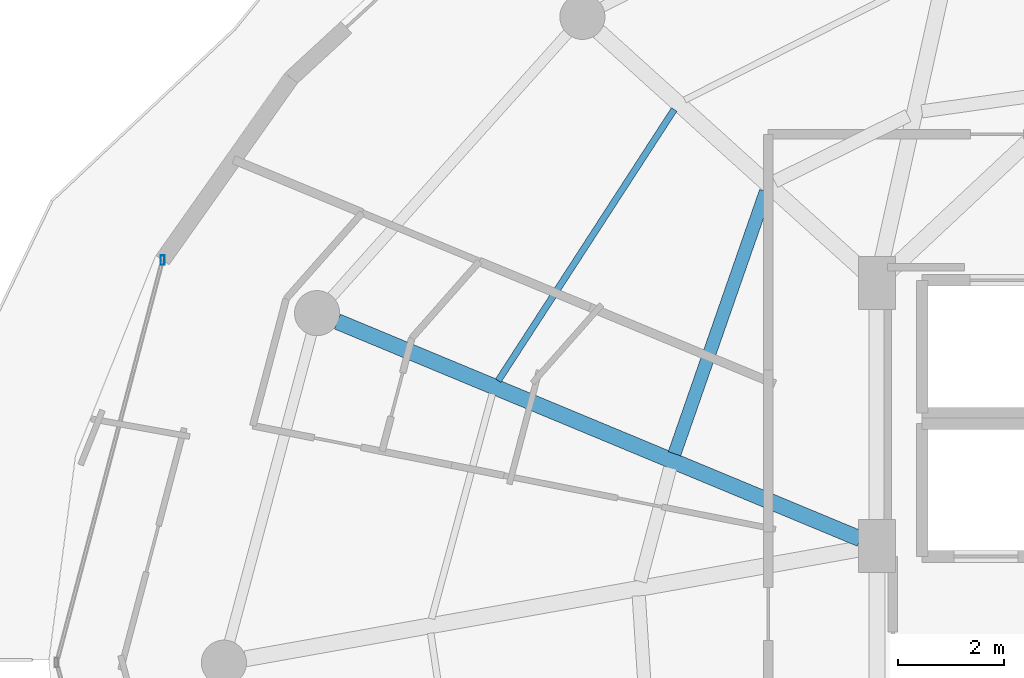
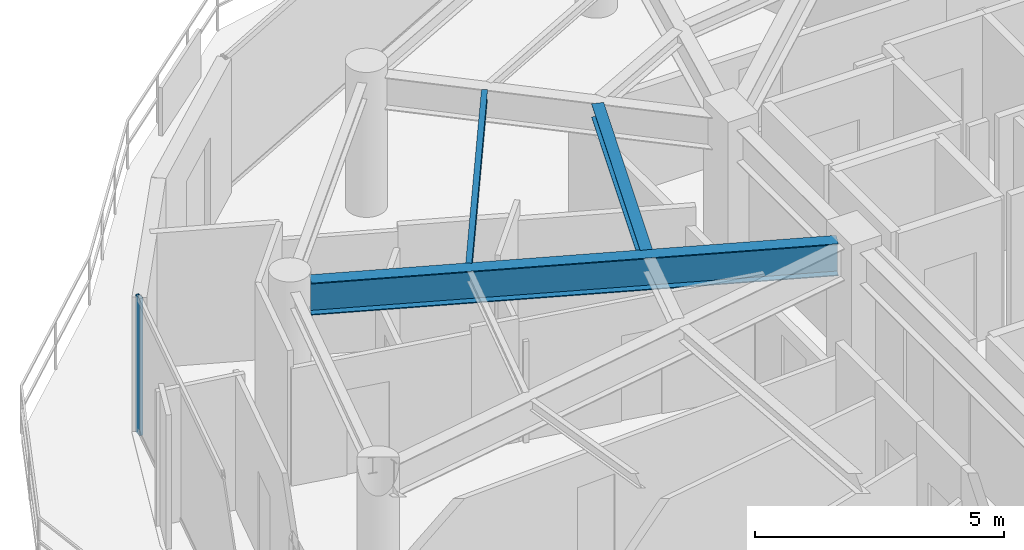
# One storey, part 8 of 30: 3 beams, 1 member, 1 element without a shape of its own.
"""IFC4 building model written with IfcOpenShell, lengths in metres."""

import ifcopenshell
import ifcopenshell.guid

model = None  # the IFC model being written
_history = None  # IfcOwnerHistory: only IFC2X3 demands one
_inside = {}  # id of a spatial element -> (the spatial element, [elements in it])
_under = {}  # id of a project, library or spatial element -> (it, [spatial elements below it])
_declared = {}  # id of a project -> (the project, [libraries it declares])
_typed = {}  # id of a type object -> (the type object, [elements of that type])
_made_of = {}  # id of a material, layer set ... -> (it, [elements and type objects made of it])


def new_model(schema):
    """Start an empty IFC model of exactly this schema.

    Asked for "IFC4X3", IfcOpenShell would pick the latest addendum, in which some entities
    have other attributes; the version numbers below select the first issue.
    IFC2X3 requires an IfcOwnerHistory on every rooted entity: one is made here for all.
    """
    global model, _history
    if schema == "IFC4X3":
        model = ifcopenshell.file(schema_version=(4, 3, 0, 0))
    else:
        model = ifcopenshell.file(schema=schema)
    _inside.clear()
    _under.clear()
    _declared.clear()
    _typed.clear()
    _made_of.clear()
    _history = None
    if model.schema == "IFC2X3":
        org = make("IfcOrganization", Name="unknown")
        user = make(
            "IfcPersonAndOrganization",
            ThePerson=make("IfcPerson", FamilyName="unknown"),
            TheOrganization=org,
        )
        app = make(
            "IfcApplication",
            ApplicationDeveloper=org,
            Version="unknown",
            ApplicationFullName="unknown",
            ApplicationIdentifier="unknown",
        )
        _history = make(
            "IfcOwnerHistory",
            OwningUser=user,
            OwningApplication=app,
            ChangeAction="ADDED",
            CreationDate=0,
        )
    return model


def make(cls, **values):
    """One entity of the class cls with the attributes given. An attribute that is None is left unset."""
    return model.create_entity(
        cls, **{name: value for name, value in values.items() if value is not None}
    )


def rooted(cls, **values):
    """An entity with a GlobalId (a new one), such as an element, a storey or a relation."""
    return make(cls, GlobalId=ifcopenshell.guid.new(), OwnerHistory=_history, **values)


def si_unit(unit_type, name, prefix=None):
    """IfcSIUnit, for example si_unit("LENGTHUNIT", "METRE", prefix="MILLI")."""
    return make("IfcSIUnit", UnitType=unit_type, Prefix=prefix, Name=name)


def assignment(units):
    """IfcUnitAssignment: the units of a project."""
    return None if units is None else make("IfcUnitAssignment", Units=units)


def point(xyz):
    """IfcCartesianPoint."""
    return None if xyz is None else make("IfcCartesianPoint", Coordinates=xyz)


def direction(xyz):
    """IfcDirection."""
    return None if xyz is None else make("IfcDirection", DirectionRatios=xyz)


def frame(location, z_axis=None, x_axis=None):
    """IfcAxis2Placement3D, a coordinate frame: its origin and axes. An axis left out is left unset."""
    return make(
        "IfcAxis2Placement3D",
        Location=point(location),
        Axis=direction(z_axis),
        RefDirection=direction(x_axis),
    )


def frame_2d(location, x_axis=None):
    """IfcAxis2Placement2D, a coordinate frame in the plane: its origin and x axis."""
    return make(
        "IfcAxis2Placement2D", Location=point(location), RefDirection=direction(x_axis)
    )


def origin():
    """The frame at (0, 0, 0) with its axes left unset."""
    return frame((0.0, 0.0, 0.0))


def origin_2d():
    """The frame at (0, 0) in the plane with its x axis left unset."""
    return frame_2d((0.0, 0.0))


def place(relative_to, where):
    """IfcLocalPlacement: puts the frame where relative to a parent placement (None: the world)."""
    return make(
        "IfcLocalPlacement", PlacementRelTo=relative_to, RelativePlacement=where
    )


def context(
    kind, dimensions, precision=None, world=None, true_north=None, identifier=None
):
    """IfcGeometricRepresentationContext, for example the 3D "Model" context."""
    return make(
        "IfcGeometricRepresentationContext",
        ContextIdentifier=identifier,
        ContextType=kind,
        CoordinateSpaceDimension=dimensions,
        Precision=precision,
        WorldCoordinateSystem=world,
        TrueNorth=true_north,
    )


def subcontext(parent, identifier, kind, view, scale=None):
    """IfcGeometricRepresentationSubContext, for example "Body" below "Model"."""
    return make(
        "IfcGeometricRepresentationSubContext",
        ContextIdentifier=identifier,
        ContextType=kind,
        ParentContext=parent,
        TargetScale=scale,
        TargetView=view,
    )


def project(units=None, contexts=None):
    """IfcProject with its units and contexts."""
    return rooted(
        "IfcProject",
        Name="project",
        RepresentationContexts=contexts,
        UnitsInContext=assignment(units),
    )


def spatial(cls, under=None, at=None, **own):
    """A site, building, storey or space (cls), placed at a placement, below another one or the project."""
    s = rooted(cls, ObjectPlacement=at, **own)
    if under is not None:
        _under.setdefault(under.id(), (under, []))[1].append(s)
    return s


def profile(cls, at=None, kind="AREA", **sizes):
    """A parametric profile (cls). Its sizes go by their IFC names, for example OverallWidth=200.0."""
    return make(cls, ProfileType=kind, Position=at, **sizes)


def hollow_rectangle(**sizes):
    """IfcRectangleHollowProfileDef."""
    return profile("IfcRectangleHollowProfileDef", **sizes)


def i_section(**sizes):
    """IfcIShapeProfileDef."""
    return profile("IfcIShapeProfileDef", **sizes)


def extrude(swept, where, along, depth):
    """IfcExtrudedAreaSolid: the profile swept, set in the frame where, extruded along a direction by depth."""
    return make(
        "IfcExtrudedAreaSolid",
        SweptArea=swept,
        Position=where,
        ExtrudedDirection=direction(along),
        Depth=depth,
    )


def shape(context_of_items, identifier, shape_type, items):
    """IfcShapeRepresentation: the items that make up one representation, for example the "Body"."""
    return make(
        "IfcShapeRepresentation",
        ContextOfItems=context_of_items,
        RepresentationIdentifier=identifier,
        RepresentationType=shape_type,
        Items=items,
    )


def material(Name=None, Category=None):
    """IfcMaterial."""
    return make("IfcMaterial", Name=Name, Category=Category)


def material_profile(
    of_material, cross_section, Name=None, Category=None, Priority=None
):
    """IfcMaterialProfile: a cross section and its material."""
    return make(
        "IfcMaterialProfile",
        Name=Name,
        Material=of_material,
        Profile=cross_section,
        Priority=Priority,
        Category=Category,
    )


def profile_set(profiles, Name=None, composite=None):
    """IfcMaterialProfileSet."""
    return make(
        "IfcMaterialProfileSet",
        Name=Name,
        MaterialProfiles=profiles,
        CompositeProfile=composite,
    )


def made_of(thing, what):
    """Note that an element or type object is made of a material, layer set ...; save() writes the relation."""
    if what is not None:
        _made_of.setdefault(what.id(), (what, []))[1].append(thing)
    return thing


def type_object(cls, material=None, **own):
    """A type object (cls), such as IfcWallType, which elements share."""
    return made_of(rooted(cls, **own), material)


def element(
    cls,
    number,
    at=None,
    inside=None,
    cuts=None,
    type_object=None,
    material=None,
    context=None,
    identifier="Body",
    shape_type=None,
    held_by="IfcProductDefinitionShape",
    body=None,
    shapes=None,
    **own,
):
    """One element of the class cls, such as IfcWall. Its Tag is "e" and its number.

    at: its placement. inside: the storey or other place that contains it. cuts: it is an
    opening in that element (IfcRelVoidsElement). A single representation is given by context,
    identifier, shape_type and body (its items); several are given by shapes. held_by: the class
    of the entity that holds the representations. save() writes the other relations.
    """
    e = rooted(cls, Tag="e%d" % number, ObjectPlacement=at, **own)
    if body is not None:
        shapes = [shape(context, identifier, shape_type, body)]
    if shapes is not None:
        e.Representation = make(held_by, Representations=shapes)
    if inside is not None:
        _inside.setdefault(inside.id(), (inside, []))[1].append(e)
    if cuts is not None:
        rooted(
            "IfcRelVoidsElement", RelatingBuildingElement=cuts, RelatedOpeningElement=e
        )
    if type_object is not None:
        _typed.setdefault(type_object.id(), (type_object, []))[1].append(e)
    return made_of(e, material)


def aggregate(whole, parts):
    """IfcRelAggregates: a whole, such as a stair, and the parts it consists of."""
    return rooted("IfcRelAggregates", RelatingObject=whole, RelatedObjects=parts)


def save(model, path):
    """Write the relations noted so far, then the file.

    IfcRelAggregates (storeys below a building ...), IfcRelContainedInSpatialStructure (elements
    in a storey), IfcRelDefinesByType, IfcRelAssociatesMaterial and IfcRelDeclares: one each for
    every whole, place, type object, material and project.
    """
    for whole, parts in _under.values():
        aggregate(whole, parts)
    for where, things in _inside.values():
        rooted(
            "IfcRelContainedInSpatialStructure",
            RelatedElements=things,
            RelatingStructure=where,
        )
    for kind, things in _typed.values():
        rooted("IfcRelDefinesByType", RelatedObjects=things, RelatingType=kind)
    for what, things in _made_of.values():
        rooted("IfcRelAssociatesMaterial", RelatedObjects=things, RelatingMaterial=what)
    for by, libraries in _declared.values():
        rooted("IfcRelDeclares", RelatingContext=by, RelatedDefinitions=libraries)
    model.write(path)


model = new_model("IFC4")

# Units and contexts
model_context = context("Model", 3, precision=1e-05, world=origin(), true_north=direction((0.0, 1.0)))
body_context = subcontext(model_context, "Body", "Model", "MODEL_VIEW")
ifc_project = project(units=[si_unit("LENGTHUNIT", "METRE"), si_unit("AREAUNIT", "SQUARE_METRE"), si_unit("VOLUMEUNIT", "CUBIC_METRE"), si_unit("PLANEANGLEUNIT", "RADIAN"), si_unit("MASSUNIT", "GRAM", prefix="KILO")], contexts=[model_context])

# Site, building, storey
site_placement = place(None, origin())
site = spatial("IfcSite", under=ifc_project, at=site_placement, CompositionType="ELEMENT")
building_placement = place(site_placement, origin())
building = spatial("IfcBuilding", under=site, at=building_placement, Name="Vorneva Point Tower", CompositionType="ELEMENT")
storey_placement = place(building_placement, frame((0.0, 0.0, 262.64990234375)))
storey = spatial("IfcBuildingStorey", under=building, at=storey_placement, Name="L71", CompositionType="ELEMENT", Elevation=262.64990234375)

# Beams
ifc_material_1 = material(Name="Steel S355", Category="steel")
ifc_material_profile_1 = material_profile(ifc_material_1, i_section(OverallWidth=0.300048828125, OverallDepth=0.7880859375, WebThickness=0.014404296875, FlangeThickness=0.02197265625, at=origin_2d()), Name="80Sh1")
ifc_profile_set_1 = profile_set([ifc_material_profile_1], Name="Steel S355")
beam_type_1 = type_object("IfcBeamType", Name="BM-GRD-80Sh1", PredefinedType="USERDEFINED", material=ifc_profile_set_1)
beam_1_placement = place(storey_placement, frame((17.0859375, 32.423583984375, 2.89599609375), z_axis=(0.923448932068, -0.383721344027, 0.0), x_axis=(0.383721344027, 0.923448932068, 0.0)))
element("IfcBeam", 1, at=beam_1_placement, inside=storey, type_object=beam_type_1, Name="L71 Radial Primary Girder 08", ObjectType="GIRDER", PredefinedType="USERDEFINED", context=body_context, shape_type="SweptSolid", body=[
    extrude(i_section(OverallWidth=0.300048828125, OverallDepth=0.7880859375, WebThickness=0.014404296875, FlangeThickness=0.02197265625, at=origin_2d()), origin(), (0.0, 0.0, 1.0), 10.666748046875),
])
ifc_material_profile_2 = material_profile(ifc_material_1, i_section(OverallWidth=0.1240234375, OverallDepth=0.248046875, WebThickness=0.0048828125, FlangeThickness=0.008056640625, at=origin_2d()), Name="25B1")
ifc_profile_set_2 = profile_set([ifc_material_profile_2], Name="Steel S355")
beam_type_2 = type_object("IfcBeamType", Name="BM-JST-25B1", PredefinedType="JOIST", material=ifc_profile_set_2)
beam_2_placement = place(storey_placement, frame((23.4296875, 36.41748046875, 3.166015625), z_axis=(-0.54436505899, -0.838848426446, 0.0), x_axis=(0.838848426446, -0.54436505899, 0.0)))
element("IfcBeam", 2, at=beam_2_placement, inside=storey, type_object=beam_type_2, Name="L71 Secondary Floor Beam 1.07", PredefinedType="JOIST", context=body_context, shape_type="SweptSolid", body=[
    extrude(i_section(OverallWidth=0.1240234375, OverallDepth=0.248046875, WebThickness=0.0048828125, FlangeThickness=0.008056640625, at=origin_2d()), origin(), (0.0, 0.0, 1.0), 6.0869140625),
])
ifc_material_profile_3 = material_profile(ifc_material_1, i_section(OverallWidth=0.2490234375, OverallDepth=0.333984375, WebThickness=0.008056640625, FlangeThickness=0.010986328125, at=origin_2d()), Name="35Sh1")
ifc_profile_set_3 = profile_set([ifc_material_profile_3], Name="Steel S355")
beam_type_3 = type_object("IfcBeamType", Name="BM-SEC-35Sh1", PredefinedType="BEAM", material=ifc_profile_set_3)
beam_3_placement = place(storey_placement, frame((25.156005859375, 34.870361328125, 3.123046875), z_axis=(-0.329172675653, -0.94426974409, 0.0), x_axis=(0.94426974409, -0.329172675653, 0.0)))
element("IfcBeam", 3, at=beam_3_placement, inside=storey, type_object=beam_type_3, Name="L71 Secondary Floor Beam 2.07", PredefinedType="BEAM", context=body_context, shape_type="SweptSolid", body=[
    extrude(i_section(OverallWidth=0.2490234375, OverallDepth=0.333984375, WebThickness=0.008056640625, FlangeThickness=0.010986328125, at=origin_2d()), origin(), (0.0, 0.0, 1.0), 5.227294921875),
])

# Curtain wall, member
ifc_material_2 = material(Name="Pale anodised aluminium", Category="aluminium")
curtain_wall_type = type_object("IfcCurtainWallType", Name="CW-RES-SYS", PredefinedType="NOTDEFINED", material=ifc_material_2)
curtain_wall_placement = place(storey_placement, origin())
curtain_wall = element("IfcCurtainWall", 4, at=curtain_wall_placement, inside=storey, type_object=curtain_wall_type, Name="L71 Unitised Curtain Wall CW-L71-R03", PredefinedType="NOTDEFINED")
ifc_material_profile_4 = material_profile(ifc_material_2, hollow_rectangle(XDim=0.074951171875, YDim=0.179931640625, WallThickness=0.00390625, at=origin_2d()), Name="AL-MUL 180x75x4")
ifc_profile_set_4 = profile_set([ifc_material_profile_4], Name="Pale anodised aluminium")
member_type = type_object("IfcMemberType", Name="CW-MUL-180", PredefinedType="MULLION", material=ifc_profile_set_4)
member_placement = place(storey_placement, frame((13.79443359375, 33.5810546875, -0.039794921875), z_axis=(0.0, 0.0, 1.0), x_axis=(1.0, 0.0, 0.0)))
member = element("IfcMember", 5, at=member_placement, type_object=member_type, Name="CW-L71-R03 Mullion 01", PredefinedType="MULLION", context=body_context, shape_type="SweptSolid", body=[
    extrude(hollow_rectangle(XDim=0.074951171875, YDim=0.179931640625, WallThickness=0.00390625, at=origin_2d()), origin(), (0.0, 0.0, 1.0), 3.35986328125),
])
aggregate(curtain_wall, [member])

save(model, "model.ifc")
